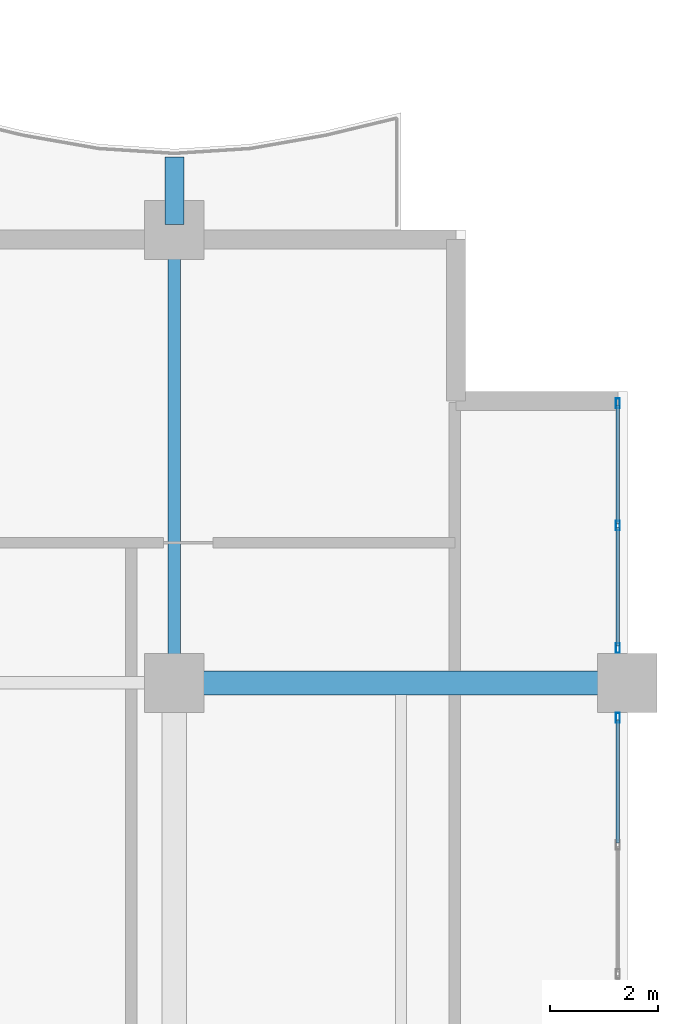
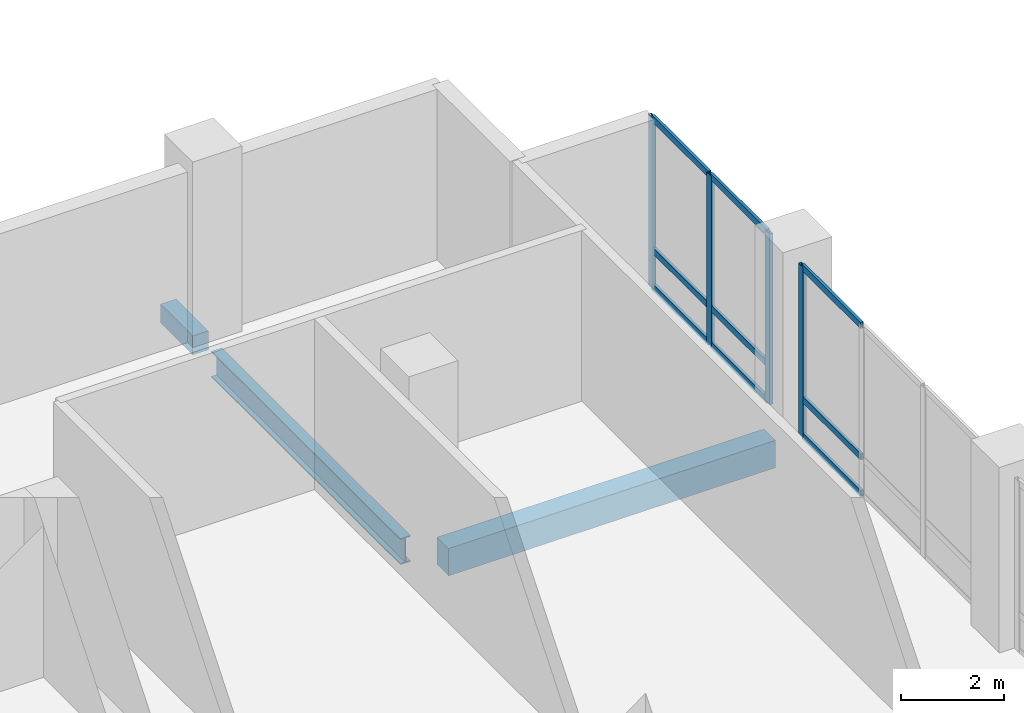
# One storey, part 7 of 25: 13 members, 3 beams, 2 elements without a shape of their own.
"""IFC4 building model written with IfcOpenShell, lengths in metres."""

from ifc_helpers import new_model, si_unit, direction, frame, origin, origin_2d, place, context, subcontext, project, spatial, rectangle, hollow_rectangle, i_section, extrude, material, layer, layer_set, material_profile, profile_set, type_object, element, aggregate, save


model = new_model("IFC4")

# Units and contexts
model_context = context("Model", 3, precision=1e-05, world=origin(), true_north=direction((0.0, 1.0)))
body_context = subcontext(model_context, "Body", "Model", "MODEL_VIEW")
ifc_project = project(units=[si_unit("LENGTHUNIT", "METRE"), si_unit("AREAUNIT", "SQUARE_METRE"), si_unit("VOLUMEUNIT", "CUBIC_METRE"), si_unit("PLANEANGLEUNIT", "RADIAN"), si_unit("MASSUNIT", "GRAM", prefix="KILO")], contexts=[model_context])

# Site, building, storey
site_placement = place(None, origin())
site = spatial("IfcSite", under=ifc_project, at=site_placement, CompositionType="ELEMENT")
building_placement = place(site_placement, origin())
building = spatial("IfcBuilding", under=site, at=building_placement, Name="Koriwani Terraces Tower", CompositionType="ELEMENT")
storey_placement = place(building_placement, frame((0.0, 0.0, 157.60009765625)))
storey = spatial("IfcBuildingStorey", under=building, at=storey_placement, Name="L38", CompositionType="ELEMENT", Elevation=157.60009765625)

# Beams
ifc_material_1 = material(Name="Concrete C40/50", Category="concrete")
ifc_material_profile_1 = material_profile(ifc_material_1, rectangle(XDim=0.35009765625, YDim=0.449951171875, at=origin_2d()), Name="Concrete C40/50", Category="LoadBearing")
ifc_profile_set_1 = profile_set([ifc_material_profile_1], Name="Concrete C40/50")
beam_type_1 = type_object("IfcBeamType", Name="BEAM_RC_BALCONY_RIB_350X450", PredefinedType="JOIST", material=ifc_profile_set_1)
beam_1_placement = place(storey_placement, frame((67.199951171875, 33.699951171875, -0.47509765625), z_axis=(0.0, 1.0, 0.0), x_axis=(-1.0, 0.0, 0.0)))
element("IfcBeam", 1, at=beam_1_placement, inside=storey, type_object=beam_type_1, Name="L38 Balcony Bracket Rib NE-4", PredefinedType="JOIST", context=body_context, shape_type="SweptSolid", body=[
    extrude(rectangle(XDim=0.35009765625, YDim=0.449951171875, at=origin_2d()), origin(), (0.0, 0.0, 1.0), 1.25),
])
ifc_material_2 = material(Name="Concrete C50/60", Category="concrete")
ifc_material_profile_2 = material_profile(ifc_material_2, rectangle(XDim=0.449951171875, YDim=0.64990234375, at=origin_2d()), Name="Concrete C50/60", Category="LoadBearing")
ifc_profile_set_2 = profile_set([ifc_material_profile_2], Name="Concrete C50/60")
beam_type_2 = type_object("IfcBeamType", Name="BEAM_RC_GRID_450X650", PredefinedType="BEAM", material=ifc_profile_set_2)
beam_2_placement = place(storey_placement, frame((67.72998046875, 25.199951171875, -0.5751953125), z_axis=(1.0, 0.0, 0.0), x_axis=(0.0, 1.0, 0.0)))
element("IfcBeam", 2, at=beam_2_placement, inside=storey, type_object=beam_type_2, Name="L38 Grid Beam D (67.2-75.6m)", PredefinedType="BEAM", context=body_context, shape_type="SweptSolid", body=[
    extrude(rectangle(XDim=0.449951171875, YDim=0.64990234375, at=origin_2d()), origin(), (0.0, 0.0, 1.0), 7.340087890625),
])

# Curtain wall, members
ifc_material_3 = material(Name="Anodised Bronze Aluminium", Category="aluminium")
ifc_layer = layer(ifc_material_3, 0.169921875, Name="Anodised Bronze Aluminium")
ifc_layer_set = layer_set([ifc_layer], Name="Anodised Bronze Aluminium")
curtain_wall_type = type_object("IfcCurtainWallType", Name="CW_RES_ZONE3", PredefinedType="NOTDEFINED", material=ifc_layer_set)
curtain_wall_1_placement = place(storey_placement, origin())
curtain_wall_1 = element("IfcCurtainWall", 3, at=curtain_wall_1_placement, inside=storey, type_object=curtain_wall_type, Name="L38 Unitised Curtain Wall (E_TIP) Bay 1", PredefinedType="NOTDEFINED")
ifc_material_profile_3 = material_profile(ifc_material_3, hollow_rectangle(XDim=0.074951171875, YDim=0.179931640625, WallThickness=0.006103515625, at=origin_2d()), Name="Anodised Bronze Aluminium", Category="LoadBearing")
ifc_profile_set_3 = profile_set([ifc_material_profile_3], Name="Anodised Bronze Aluminium")
member_type_1 = type_object("IfcMemberType", Name="CW_MULLION_180X75", PredefinedType="MULLION", material=ifc_profile_set_3)
member_1_placement = place(storey_placement, frame((75.425048828125, 30.387451171875, 0.0), z_axis=(0.0, 0.0, 1.0), x_axis=(1.0, 0.0, 0.0)))
member_1 = element("IfcMember", 4, at=member_1_placement, type_object=member_type_1, Name="CW-Z3 mullion 1", PredefinedType="MULLION", context=body_context, shape_type="SweptSolid", body=[
    extrude(hollow_rectangle(XDim=0.074951171875, YDim=0.179931640625, WallThickness=0.006103515625, at=origin_2d()), origin(), (0.0, 0.0, 1.0), 4.0498046875),
])
member_2_placement = place(storey_placement, frame((75.425048828125, 28.117431640625, 0.0), z_axis=(0.0, 0.0, 1.0), x_axis=(1.0, 0.0, 0.0)))
member_2 = element("IfcMember", 5, at=member_2_placement, type_object=member_type_1, Name="CW-Z3 mullion 2", PredefinedType="MULLION", context=body_context, shape_type="SweptSolid", body=[
    extrude(hollow_rectangle(XDim=0.074951171875, YDim=0.179931640625, WallThickness=0.006103515625, at=origin_2d()), origin(), (0.0, 0.0, 1.0), 4.0498046875),
])
member_3_placement = place(storey_placement, frame((75.425048828125, 25.847412109375, 0.0), z_axis=(0.0, 0.0, 1.0), x_axis=(1.0, 0.0, 0.0)))
member_3 = element("IfcMember", 6, at=member_3_placement, type_object=member_type_1, Name="CW-Z3 mullion 3", PredefinedType="MULLION", context=body_context, shape_type="SweptSolid", body=[
    extrude(hollow_rectangle(XDim=0.074951171875, YDim=0.179931640625, WallThickness=0.006103515625, at=origin_2d()), origin(), (0.0, 0.0, 1.0), 4.0498046875),
])

# Curtain wall, member
curtain_wall_2_placement = place(storey_placement, origin())
curtain_wall_2 = element("IfcCurtainWall", 7, at=curtain_wall_2_placement, inside=storey, type_object=curtain_wall_type, Name="L38 Unitised Curtain Wall (E_TIP) Bay 2", PredefinedType="NOTDEFINED")
member_4_placement = place(storey_placement, frame((75.425048828125, 24.552490234375, 0.0), z_axis=(0.0, 0.0, 1.0), x_axis=(1.0, 0.0, 0.0)))
member_4 = element("IfcMember", 8, at=member_4_placement, type_object=member_type_1, Name="CW-Z3 mullion 1", PredefinedType="MULLION", context=body_context, shape_type="SweptSolid", body=[
    extrude(hollow_rectangle(XDim=0.074951171875, YDim=0.179931640625, WallThickness=0.006103515625, at=origin_2d()), origin(), (0.0, 0.0, 1.0), 4.0498046875),
])

# Member
ifc_material_profile_4 = material_profile(ifc_material_3, hollow_rectangle(XDim=0.06494140625, YDim=0.14990234375, WallThickness=0.0048828125, at=origin_2d()), Name="Anodised Bronze Aluminium", Category="LoadBearing")
ifc_profile_set_4 = profile_set([ifc_material_profile_4], Name="Anodised Bronze Aluminium")
member_type_2 = type_object("IfcMemberType", Name="CW_TRANSOM_150X65", PredefinedType="USERDEFINED", material=ifc_profile_set_4)
member_5_placement = place(storey_placement, frame((75.425048828125, 30.35009765625, 0.032470703125), z_axis=(0.0, -1.0, 0.0), x_axis=(1.0, 0.0, 0.0)))
member_5 = element("IfcMember", 9, at=member_5_placement, type_object=member_type_2, Name="CW-Z3 transom 1.1", ObjectType="TRANSOM", PredefinedType="USERDEFINED", context=body_context, shape_type="SweptSolid", body=[
    extrude(hollow_rectangle(XDim=0.06494140625, YDim=0.14990234375, WallThickness=0.0048828125, at=origin_2d()), origin(), (0.0, 0.0, 1.0), 2.195068359375),
])

member_6_placement = place(storey_placement, frame((75.425048828125, 30.35009765625, 0.89990234375), z_axis=(0.0, -1.0, 0.0), x_axis=(1.0, 0.0, 0.0)))
member_6 = element("IfcMember", 10, at=member_6_placement, type_object=member_type_2, Name="CW-Z3 transom 1.2", ObjectType="TRANSOM", PredefinedType="USERDEFINED", context=body_context, shape_type="SweptSolid", body=[
    extrude(hollow_rectangle(XDim=0.06494140625, YDim=0.14990234375, WallThickness=0.0048828125, at=origin_2d()), origin(), (0.0, 0.0, 1.0), 2.195068359375),
])

member_7_placement = place(storey_placement, frame((75.425048828125, 30.35009765625, 4.017333984375), z_axis=(0.0, -1.0, 0.0), x_axis=(1.0, 0.0, 0.0)))
member_7 = element("IfcMember", 11, at=member_7_placement, type_object=member_type_2, Name="CW-Z3 transom 1.3", ObjectType="TRANSOM", PredefinedType="USERDEFINED", context=body_context, shape_type="SweptSolid", body=[
    extrude(hollow_rectangle(XDim=0.06494140625, YDim=0.14990234375, WallThickness=0.0048828125, at=origin_2d()), origin(), (0.0, 0.0, 1.0), 2.195068359375),
])

member_8_placement = place(storey_placement, frame((75.425048828125, 28.080078125, 0.032470703125), z_axis=(0.0, -1.0, 0.0), x_axis=(1.0, 0.0, 0.0)))
member_8 = element("IfcMember", 12, at=member_8_placement, type_object=member_type_2, Name="CW-Z3 transom 2.1", ObjectType="TRANSOM", PredefinedType="USERDEFINED", context=body_context, shape_type="SweptSolid", body=[
    extrude(hollow_rectangle(XDim=0.06494140625, YDim=0.14990234375, WallThickness=0.0048828125, at=origin_2d()), origin(), (0.0, 0.0, 1.0), 2.195068359375),
])

member_9_placement = place(storey_placement, frame((75.425048828125, 28.080078125, 0.89990234375), z_axis=(0.0, -1.0, 0.0), x_axis=(1.0, 0.0, 0.0)))
member_9 = element("IfcMember", 13, at=member_9_placement, type_object=member_type_2, Name="CW-Z3 transom 2.2", ObjectType="TRANSOM", PredefinedType="USERDEFINED", context=body_context, shape_type="SweptSolid", body=[
    extrude(hollow_rectangle(XDim=0.06494140625, YDim=0.14990234375, WallThickness=0.0048828125, at=origin_2d()), origin(), (0.0, 0.0, 1.0), 2.195068359375),
])

member_10_placement = place(storey_placement, frame((75.425048828125, 28.080078125, 4.017333984375), z_axis=(0.0, -1.0, 0.0), x_axis=(1.0, 0.0, 0.0)))
member_10 = element("IfcMember", 14, at=member_10_placement, type_object=member_type_2, Name="CW-Z3 transom 2.3", ObjectType="TRANSOM", PredefinedType="USERDEFINED", context=body_context, shape_type="SweptSolid", body=[
    extrude(hollow_rectangle(XDim=0.06494140625, YDim=0.14990234375, WallThickness=0.0048828125, at=origin_2d()), origin(), (0.0, 0.0, 1.0), 2.195068359375),
])

aggregate(curtain_wall_1, [member_1, member_2, member_3, member_5, member_6, member_7, member_8, member_9, member_10])

member_11_placement = place(storey_placement, frame((75.425048828125, 24.514892578125, 0.032470703125), z_axis=(0.0, -1.0, 0.0), x_axis=(1.0, 0.0, 0.0)))
member_11 = element("IfcMember", 15, at=member_11_placement, type_object=member_type_2, Name="CW-Z3 transom 1.1", ObjectType="TRANSOM", PredefinedType="USERDEFINED", context=body_context, shape_type="SweptSolid", body=[
    extrude(hollow_rectangle(XDim=0.06494140625, YDim=0.14990234375, WallThickness=0.0048828125, at=origin_2d()), origin(), (0.0, 0.0, 1.0), 2.28076171875),
])

member_12_placement = place(storey_placement, frame((75.425048828125, 24.514892578125, 0.89990234375), z_axis=(0.0, -1.0, 0.0), x_axis=(1.0, 0.0, 0.0)))
member_12 = element("IfcMember", 16, at=member_12_placement, type_object=member_type_2, Name="CW-Z3 transom 1.2", ObjectType="TRANSOM", PredefinedType="USERDEFINED", context=body_context, shape_type="SweptSolid", body=[
    extrude(hollow_rectangle(XDim=0.06494140625, YDim=0.14990234375, WallThickness=0.0048828125, at=origin_2d()), origin(), (0.0, 0.0, 1.0), 2.28076171875),
])

member_13_placement = place(storey_placement, frame((75.425048828125, 24.514892578125, 4.017333984375), z_axis=(0.0, -1.0, 0.0), x_axis=(1.0, 0.0, 0.0)))
member_13 = element("IfcMember", 17, at=member_13_placement, type_object=member_type_2, Name="CW-Z3 transom 1.3", ObjectType="TRANSOM", PredefinedType="USERDEFINED", context=body_context, shape_type="SweptSolid", body=[
    extrude(hollow_rectangle(XDim=0.06494140625, YDim=0.14990234375, WallThickness=0.0048828125, at=origin_2d()), origin(), (0.0, 0.0, 1.0), 2.28076171875),
])

aggregate(curtain_wall_2, [member_4, member_11, member_12, member_13])

# Beam
ifc_material_4 = material(Name="Steel ASTM A572 Grade 50", Category="steel")
ifc_material_profile_5 = material_profile(ifc_material_4, i_section(OverallWidth=0.23095703125, OverallDepth=0.616943359375, WebThickness=0.015380859375, FlangeThickness=0.0244140625, at=origin_2d()), Name="Steel ASTM A572 Grade 50", Category="LoadBearing")
ifc_profile_set_5 = profile_set([ifc_material_profile_5], Name="Steel ASTM A572 Grade 50")
beam_type_3 = type_object("IfcBeamType", Name="STEEL_BEAM_W610X195", PredefinedType="BEAM", material=ifc_profile_set_5)
beam_3_placement = place(storey_placement, frame((67.199951171875, 25.72998046875, -0.55859375), z_axis=(0.0, 1.0, 0.0), x_axis=(-1.0, 0.0, 0.0)))
element("IfcBeam", 18, at=beam_3_placement, inside=storey, type_object=beam_type_3, Name="L38 Grid Beam 9 (25.2-33.6m)", PredefinedType="BEAM", context=body_context, shape_type="SweptSolid", body=[
    extrude(i_section(OverallWidth=0.23095703125, OverallDepth=0.616943359375, WebThickness=0.015380859375, FlangeThickness=0.0244140625, at=origin_2d()), origin(), (0.0, 0.0, 1.0), 7.340087890625),
])

save(model, "model.ifc")
